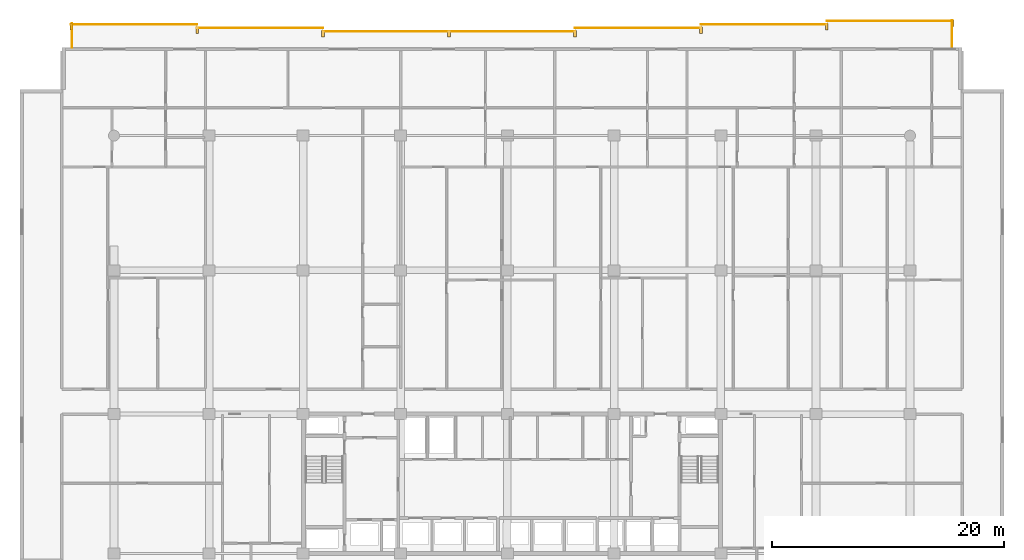
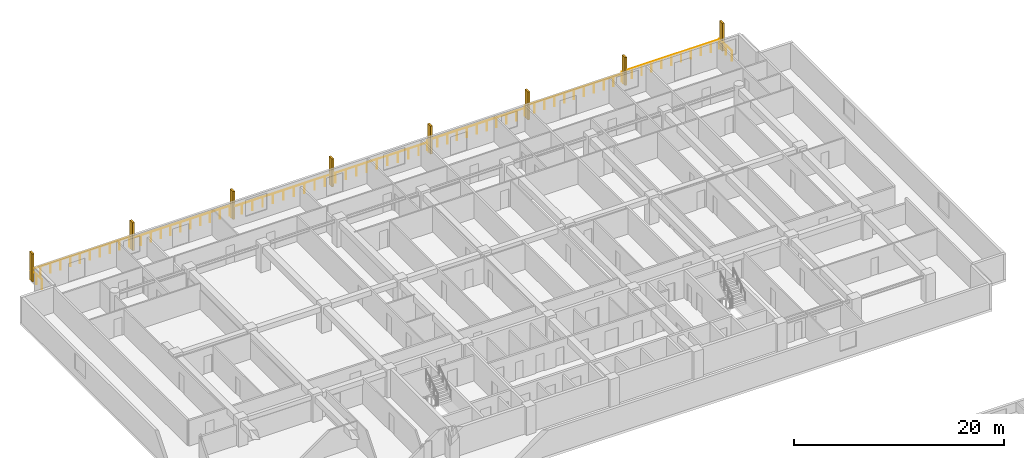
# One storey, part 23 of 23: 8 railings, 8 shading devices.
"""IFC4 building model written with IfcOpenShell, lengths in metres."""

from ifc_helpers import new_model, si_unit, direction, frame, origin, origin_2d, place, context, subcontext, project, spatial, rectangle, circle, extrude, material, type_object, element, save


model = new_model("IFC4")

# Units and contexts
model_context = context("Model", 3, precision=1e-05, world=origin(), true_north=direction((0.0, 1.0)))
body_context = subcontext(model_context, "Body", "Model", "MODEL_VIEW")
ifc_project = project(units=[si_unit("LENGTHUNIT", "METRE"), si_unit("AREAUNIT", "SQUARE_METRE"), si_unit("VOLUMEUNIT", "CUBIC_METRE"), si_unit("PLANEANGLEUNIT", "RADIAN"), si_unit("MASSUNIT", "GRAM", prefix="KILO")], contexts=[model_context])

# Site, building, storey
site_placement = place(None, origin())
site = spatial("IfcSite", under=ifc_project, at=site_placement, CompositionType="ELEMENT")
building_placement = place(site_placement, origin())
building = spatial("IfcBuilding", under=site, at=building_placement, Name="Korimba Cascade Residences", CompositionType="ELEMENT")
storey_placement = place(building_placement, frame((0.0, 0.0, 40.25)))
storey = spatial("IfcBuildingStorey", under=building, at=storey_placement, Name="L10", CompositionType="ELEMENT", Elevation=40.25)

# Railings
ifc_material_1 = material(Name="Laminated Glass and Bronze Balustrade", Category="glass")
railing_type = type_object("IfcRailingType", Name="RLG-LOG-1150", PredefinedType="BALUSTRADE", material=ifc_material_1)
railing_1_placement = place(storey_placement, frame((132.02001953125, 98.800048828125, 0.0)))
element("IfcRailing", 1, at=railing_1_placement, inside=storey, type_object=railing_type, Name="L10 Perimeter Guardrail RLG-L10-T1-LOG-01", PredefinedType="BALUSTRADE", context=body_context, shape_type="SweptSolid", body=[
    extrude(circle(Radius=0.02392578125, at=origin_2d()), frame((0.0, 0.0, 1.1259765625), z_axis=(0.0, 1.0, 0.0), x_axis=(-1.0, 0.0, 0.0)), (0.0, 0.0, 1.0), 2.349853515625),
    extrude(circle(Radius=0.02099609375, at=origin_2d()), origin(), (0.0, 0.0, 1.0), 1.101806640625),
    extrude(circle(Radius=0.02099609375, at=origin_2d()), frame((0.0, 1.1748046875, 0.0)), (0.0, 0.0, 1.0), 1.101806640625),
    extrude(circle(Radius=0.02099609375, at=origin_2d()), frame((0.0, 2.349853515625, 0.0)), (0.0, 0.0, 1.0), 1.101806640625),
])
for number, where, name in (
    (2, (132.10009765625, 101.070068359375, 0.0), "L10 Perimeter Guardrail RLG-L10-T1-LOG-02"),
    (3, (121.242919921875, 100.77001953125, 0.0), "L10 Perimeter Guardrail RLG-L10-T1-LOG-03"),
    (4, (110.3857421875, 100.469970703125, 0.0), "L10 Perimeter Guardrail RLG-L10-T1-LOG-04"),
):
    element("IfcRailing", number, at=place(storey_placement, frame(where)), inside=storey, type_object=railing_type, Name=name, PredefinedType="BALUSTRADE", context=body_context, shape_type="SweptSolid", body=[
        extrude(circle(Radius=0.02392578125, at=origin_2d()), frame((0.0, 0.0, 1.1259765625), z_axis=(-1.0, 0.0, 0.0), x_axis=(0.0, -1.0, 0.0)), (0.0, 0.0, 1.0), 10.857177734375),
        extrude(circle(Radius=0.02099609375, at=origin_2d()), origin(), (0.0, 0.0, 1.0), 1.101806640625),
        extrude(circle(Radius=0.02099609375, at=origin_2d()), frame((-1.085693359375, 0.0, 0.0)), (0.0, 0.0, 1.0), 1.101806640625),
        extrude(circle(Radius=0.02099609375, at=origin_2d()), frame((-2.17138671875, 0.0, 0.0)), (0.0, 0.0, 1.0), 1.101806640625),
        extrude(circle(Radius=0.02099609375, at=origin_2d()), frame((-3.257080078125, 0.0, 0.0)), (0.0, 0.0, 1.0), 1.101806640625),
        extrude(circle(Radius=0.02099609375, at=origin_2d()), frame((-4.3427734375, 0.0, 0.0)), (0.0, 0.0, 1.0), 1.101806640625),
        extrude(circle(Radius=0.02099609375, at=origin_2d()), frame((-5.4287109375, 0.0, 0.0)), (0.0, 0.0, 1.0), 1.101806640625),
        extrude(circle(Radius=0.02099609375, at=origin_2d()), frame((-6.514404296875, 0.0, 0.0)), (0.0, 0.0, 1.0), 1.101806640625),
        extrude(circle(Radius=0.02099609375, at=origin_2d()), frame((-7.60009765625, 0.0, 0.0)), (0.0, 0.0, 1.0), 1.101806640625),
        extrude(circle(Radius=0.02099609375, at=origin_2d()), frame((-8.685791015625, 0.0, 0.0)), (0.0, 0.0, 1.0), 1.101806640625),
        extrude(circle(Radius=0.02099609375, at=origin_2d()), frame((-9.771484375, 0.0, 0.0)), (0.0, 0.0, 1.0), 1.101806640625),
        extrude(circle(Radius=0.02099609375, at=origin_2d()), frame((-10.857177734375, 0.0, 0.0)), (0.0, 0.0, 1.0), 1.101806640625),
    ])
railing_2_placement = place(storey_placement, frame((99.528564453125, 100.169921875, 0.0)))
element("IfcRailing", 5, at=railing_2_placement, inside=storey, type_object=railing_type, Name="L10 Perimeter Guardrail RLG-L10-T1-LOG-05", PredefinedType="BALUSTRADE", context=body_context, shape_type="SweptSolid", body=[
    extrude(circle(Radius=0.02392578125, at=origin_2d()), frame((0.0, 0.0, 1.1259765625), z_axis=(-1.0, 0.0, 0.0), x_axis=(0.0, -1.0, 0.0)), (0.0, 0.0, 1.0), 21.71435546875),
    extrude(circle(Radius=0.02099609375, at=origin_2d()), origin(), (0.0, 0.0, 1.0), 1.101806640625),
    extrude(circle(Radius=0.02099609375, at=origin_2d()), frame((-1.142822265625, 0.0, 0.0)), (0.0, 0.0, 1.0), 1.101806640625),
    extrude(circle(Radius=0.02099609375, at=origin_2d()), frame((-2.28564453125, 0.0, 0.0)), (0.0, 0.0, 1.0), 1.101806640625),
    extrude(circle(Radius=0.02099609375, at=origin_2d()), frame((-3.428466796875, 0.0, 0.0)), (0.0, 0.0, 1.0), 1.101806640625),
    extrude(circle(Radius=0.02099609375, at=origin_2d()), frame((-4.571533203125, 0.0, 0.0)), (0.0, 0.0, 1.0), 1.101806640625),
    extrude(circle(Radius=0.02099609375, at=origin_2d()), frame((-5.71435546875, 0.0, 0.0)), (0.0, 0.0, 1.0), 1.101806640625),
    extrude(circle(Radius=0.02099609375, at=origin_2d()), frame((-6.857177734375, 0.0, 0.0)), (0.0, 0.0, 1.0), 1.101806640625),
    extrude(circle(Radius=0.02099609375, at=origin_2d()), frame((-8.0, 0.0, 0.0)), (0.0, 0.0, 1.0), 1.101806640625),
    extrude(circle(Radius=0.02099609375, at=origin_2d()), frame((-9.142822265625, 0.0, 0.0)), (0.0, 0.0, 1.0), 1.101806640625),
    extrude(circle(Radius=0.02099609375, at=origin_2d()), frame((-10.28564453125, 0.0, 0.0)), (0.0, 0.0, 1.0), 1.101806640625),
    extrude(circle(Radius=0.02099609375, at=origin_2d()), frame((-11.4287109375, 0.0, 0.0)), (0.0, 0.0, 1.0), 1.101806640625),
    extrude(circle(Radius=0.02099609375, at=origin_2d()), frame((-12.571533203125, 0.0, 0.0)), (0.0, 0.0, 1.0), 1.101806640625),
    extrude(circle(Radius=0.02099609375, at=origin_2d()), frame((-13.71435546875, 0.0, 0.0)), (0.0, 0.0, 1.0), 1.101806640625),
    extrude(circle(Radius=0.02099609375, at=origin_2d()), frame((-14.857177734375, 0.0, 0.0)), (0.0, 0.0, 1.0), 1.101806640625),
    extrude(circle(Radius=0.02099609375, at=origin_2d()), frame((-16.0, 0.0, 0.0)), (0.0, 0.0, 1.0), 1.101806640625),
    extrude(circle(Radius=0.02099609375, at=origin_2d()), frame((-17.142822265625, 0.0, 0.0)), (0.0, 0.0, 1.0), 1.101806640625),
    extrude(circle(Radius=0.02099609375, at=origin_2d()), frame((-18.285888671875, 0.0, 0.0)), (0.0, 0.0, 1.0), 1.101806640625),
    extrude(circle(Radius=0.02099609375, at=origin_2d()), frame((-19.4287109375, 0.0, 0.0)), (0.0, 0.0, 1.0), 1.101806640625),
    extrude(circle(Radius=0.02099609375, at=origin_2d()), frame((-20.571533203125, 0.0, 0.0)), (0.0, 0.0, 1.0), 1.101806640625),
    extrude(circle(Radius=0.02099609375, at=origin_2d()), frame((-21.71435546875, 0.0, 0.0)), (0.0, 0.0, 1.0), 1.101806640625),
])
railing_3_placement = place(storey_placement, frame((77.814208984375, 100.469970703125, 0.0)))
element("IfcRailing", 6, at=railing_3_placement, inside=storey, type_object=railing_type, Name="L10 Perimeter Guardrail RLG-L10-T1-LOG-06", PredefinedType="BALUSTRADE", context=body_context, shape_type="SweptSolid", body=[
    extrude(circle(Radius=0.02392578125, at=origin_2d()), frame((0.0, 0.0, 1.1259765625), z_axis=(-1.0, 0.0, 0.0), x_axis=(0.0, -1.0, 0.0)), (0.0, 0.0, 1.0), 10.857177734375),
    extrude(circle(Radius=0.02099609375, at=origin_2d()), origin(), (0.0, 0.0, 1.0), 1.101806640625),
    extrude(circle(Radius=0.02099609375, at=origin_2d()), frame((-1.085693359375, 0.0, 0.0)), (0.0, 0.0, 1.0), 1.101806640625),
    extrude(circle(Radius=0.02099609375, at=origin_2d()), frame((-2.17138671875, 0.0, 0.0)), (0.0, 0.0, 1.0), 1.101806640625),
    extrude(circle(Radius=0.02099609375, at=origin_2d()), frame((-3.257080078125, 0.0, 0.0)), (0.0, 0.0, 1.0), 1.101806640625),
    extrude(circle(Radius=0.02099609375, at=origin_2d()), frame((-4.3427734375, 0.0, 0.0)), (0.0, 0.0, 1.0), 1.101806640625),
    extrude(circle(Radius=0.02099609375, at=origin_2d()), frame((-5.4287109375, 0.0, 0.0)), (0.0, 0.0, 1.0), 1.101806640625),
    extrude(circle(Radius=0.02099609375, at=origin_2d()), frame((-6.514404296875, 0.0, 0.0)), (0.0, 0.0, 1.0), 1.101806640625),
    extrude(circle(Radius=0.02099609375, at=origin_2d()), frame((-7.60009765625, 0.0, 0.0)), (0.0, 0.0, 1.0), 1.101806640625),
    extrude(circle(Radius=0.02099609375, at=origin_2d()), frame((-8.685791015625, 0.0, 0.0)), (0.0, 0.0, 1.0), 1.101806640625),
    extrude(circle(Radius=0.02099609375, at=origin_2d()), frame((-9.771484375, 0.0, 0.0)), (0.0, 0.0, 1.0), 1.101806640625),
    extrude(circle(Radius=0.02099609375, at=origin_2d()), frame((-10.857177734375, 0.0, 0.0)), (0.0, 0.0, 1.0), 1.101806640625),
])
railing_4_placement = place(storey_placement, frame((66.95703125, 100.77001953125, 0.0)))
element("IfcRailing", 7, at=railing_4_placement, inside=storey, type_object=railing_type, Name="L10 Perimeter Guardrail RLG-L10-T1-LOG-07", PredefinedType="BALUSTRADE", context=body_context, shape_type="SweptSolid", body=[
    extrude(circle(Radius=0.02392578125, at=origin_2d()), frame((0.0, 0.0, 1.1259765625), z_axis=(-1.0, 0.0, 0.0), x_axis=(0.0, -1.0, 0.0)), (0.0, 0.0, 1.0), 10.85693359375),
    extrude(circle(Radius=0.02099609375, at=origin_2d()), origin(), (0.0, 0.0, 1.0), 1.101806640625),
    extrude(circle(Radius=0.02099609375, at=origin_2d()), frame((-1.085693359375, 0.0, 0.0)), (0.0, 0.0, 1.0), 1.101806640625),
    extrude(circle(Radius=0.02099609375, at=origin_2d()), frame((-2.17138671875, 0.0, 0.0)), (0.0, 0.0, 1.0), 1.101806640625),
    extrude(circle(Radius=0.02099609375, at=origin_2d()), frame((-3.257080078125, 0.0, 0.0)), (0.0, 0.0, 1.0), 1.101806640625),
    extrude(circle(Radius=0.02099609375, at=origin_2d()), frame((-4.3427734375, 0.0, 0.0)), (0.0, 0.0, 1.0), 1.101806640625),
    extrude(circle(Radius=0.02099609375, at=origin_2d()), frame((-5.428466796875, 0.0, 0.0)), (0.0, 0.0, 1.0), 1.101806640625),
    extrude(circle(Radius=0.02099609375, at=origin_2d()), frame((-6.51416015625, 0.0, 0.0)), (0.0, 0.0, 1.0), 1.101806640625),
    extrude(circle(Radius=0.02099609375, at=origin_2d()), frame((-7.599853515625, 0.0, 0.0)), (0.0, 0.0, 1.0), 1.101806640625),
    extrude(circle(Radius=0.02099609375, at=origin_2d()), frame((-8.685546875, 0.0, 0.0)), (0.0, 0.0, 1.0), 1.101806640625),
    extrude(circle(Radius=0.02099609375, at=origin_2d()), frame((-9.771240234375, 0.0, 0.0)), (0.0, 0.0, 1.0), 1.101806640625),
    extrude(circle(Radius=0.02099609375, at=origin_2d()), frame((-10.85693359375, 0.0, 0.0)), (0.0, 0.0, 1.0), 1.101806640625),
])
railing_5_placement = place(storey_placement, frame((56.179931640625, 100.85009765625, 0.0)))
element("IfcRailing", 8, at=railing_5_placement, inside=storey, type_object=railing_type, Name="L10 Perimeter Guardrail RLG-L10-T1-LOG-08", PredefinedType="BALUSTRADE", context=body_context, shape_type="SweptSolid", body=[
    extrude(circle(Radius=0.02392578125, at=origin_2d()), frame((0.0, 0.0, 1.1259765625), z_axis=(0.0, -1.0, 0.0), x_axis=(1.0, 0.0, 0.0)), (0.0, 0.0, 1.0), 2.050048828125),
    extrude(circle(Radius=0.02099609375, at=origin_2d()), origin(), (0.0, 0.0, 1.0), 1.101806640625),
    extrude(circle(Radius=0.02099609375, at=origin_2d()), frame((0.0, -1.02490234375, 0.0)), (0.0, 0.0, 1.0), 1.101806640625),
    extrude(circle(Radius=0.02099609375, at=origin_2d()), frame((0.0, -2.050048828125, 0.0)), (0.0, 0.0, 1.0), 1.101806640625),
])

# Shading devices
ifc_material_2 = material(Name="Honed Sandstone Precast Fin", Category="masonry")
shading_device_type = type_object("IfcShadingDeviceType", Name="SHD-FIN-550", PredefinedType="USERDEFINED", material=ifc_material_2)
for number, where, z_axis, x_axis, name in (
    (9, (56.10009765625, 100.574951171875, 0.0), (0.0, 0.0, 1.0), (1.0, 0.0, 0.0), "L10 T1 Warm-Stone Loggia Fin 1"),
    (10, (66.95703125, 100.27490234375, 0.0), (0.0, 0.0, 1.0), (1.0, 0.0, 0.0), "L10 T1 Warm-Stone Loggia Fin 2"),
    (11, (77.814208984375, 99.97509765625, 0.0), (0.0, 0.0, 1.0), (1.0, 0.0, 0.0), "L10 T1 Warm-Stone Loggia Fin 3"),
    (12, (88.67138671875, 99.97509765625, 0.0), (0.0, 0.0, 1.0), (1.0, 0.0, 0.0), "L10 T1 Warm-Stone Loggia Fin 4"),
    (13, (99.528564453125, 99.97509765625, 0.0), (0.0, 0.0, 1.0), (1.0, 0.0, 0.0), "L10 T1 Warm-Stone Loggia Fin 5"),
    (14, (110.3857421875, 100.27490234375, 0.0), (0.0, 0.0, 1.0), (1.0, 0.0, 0.0), "L10 T1 Warm-Stone Loggia Fin 6"),
    (15, (121.242919921875, 100.574951171875, 0.0), (0.0, 0.0, 1.0), (1.0, 0.0, 0.0), "L10 T1 Warm-Stone Loggia Fin 7"),
    (16, (132.10009765625, 100.875, 0.0), (0.0, 0.0, 1.0), (1.0, 0.0, 0.0), "L10 T1 Warm-Stone Loggia Fin 8"),
):
    element("IfcShadingDevice", number, at=place(storey_placement, frame(where, z_axis=z_axis, x_axis=x_axis)), inside=storey, type_object=shading_device_type, Name=name, ObjectType="FIN", PredefinedType="USERDEFINED", context=body_context, shape_type="SweptSolid", body=[
        extrude(rectangle(XDim=0.219970703125, YDim=0.550048828125, at=origin_2d()), origin(), (0.0, 0.0, 1.0), 3.25),
    ])

save(model, "model.ifc")
